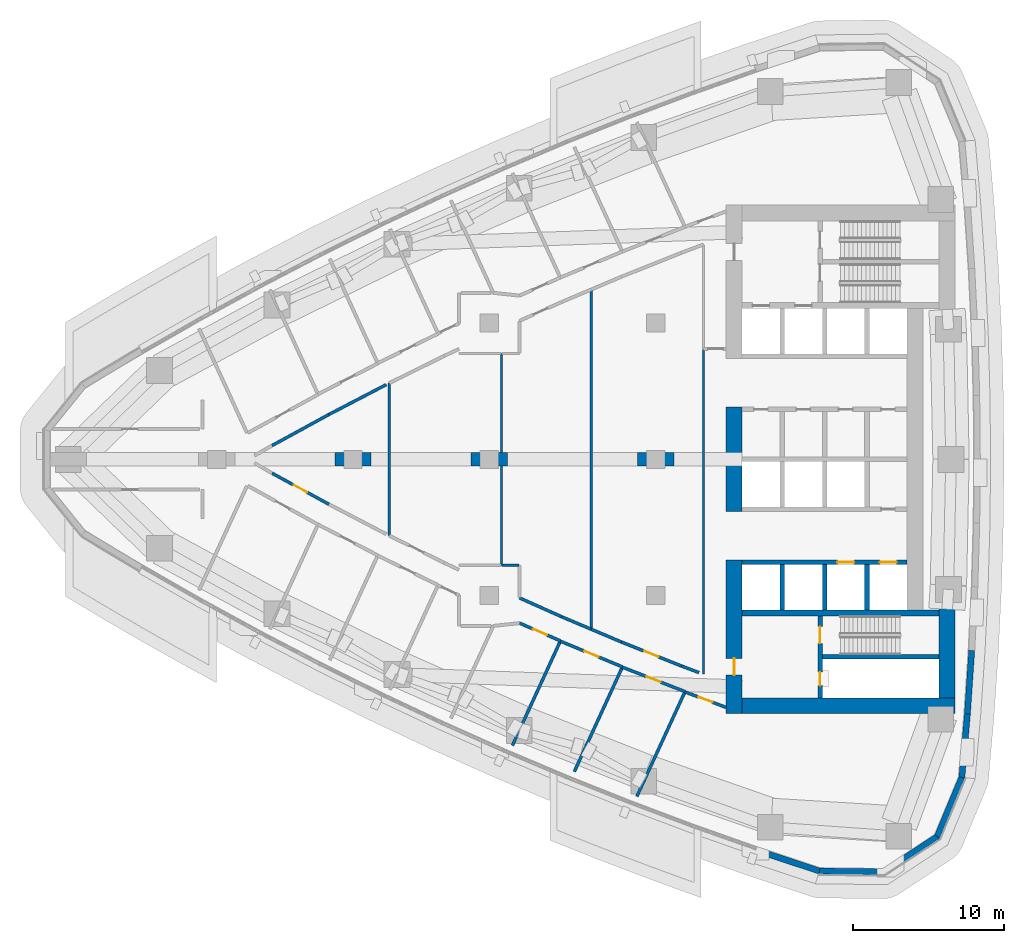
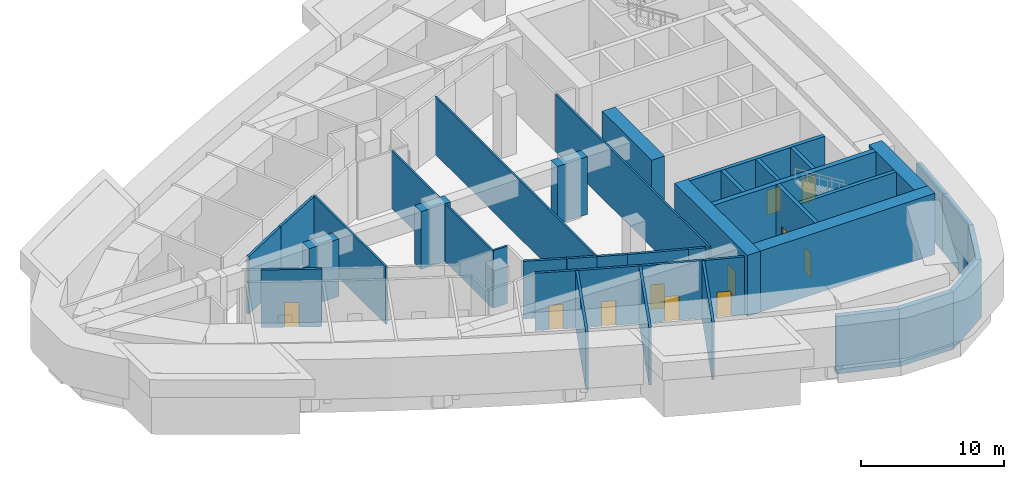
# One storey, part 11 of 19: 41 walls, 11 doors, 11 openings.
"""IFC4 building model written with IfcOpenShell, lengths in metres."""

from ifc_helpers import new_model, si_unit, direction, frame, frame_2d, origin, place, context, subcontext, project, spatial, polyline, rectangle, outline, extrude, material, layer, layer_set, type_object, element, fill, save


model = new_model("IFC4")

# Units and contexts
model_context = context("Model", 3, precision=1e-05, world=origin(), true_north=direction((0.0, 1.0)))
body_context = subcontext(model_context, "Body", "Model", "MODEL_VIEW")
ifc_project = project(units=[si_unit("LENGTHUNIT", "METRE"), si_unit("AREAUNIT", "SQUARE_METRE"), si_unit("VOLUMEUNIT", "CUBIC_METRE"), si_unit("PLANEANGLEUNIT", "RADIAN"), si_unit("MASSUNIT", "GRAM", prefix="KILO")], contexts=[model_context])

# Site, building, storey
site_placement = place(None, origin())
site = spatial("IfcSite", under=ifc_project, at=site_placement, CompositionType="ELEMENT")
building_placement = place(site_placement, origin())
building = spatial("IfcBuilding", under=site, at=building_placement, Name="Ostrand Prow Hotel Tower", CompositionType="ELEMENT")
storey_placement = place(building_placement, frame((0.0, 0.0, 120.39990234375)))
storey = spatial("IfcBuildingStorey", under=building, at=storey_placement, Name="L29", CompositionType="ELEMENT", Elevation=120.39990234375)

# Wall
ifc_material_1 = material(Name="Concrete C80/95", Category="concrete")
ifc_layer_1 = layer(ifc_material_1, 1.050048828125)
ifc_layer_set_1 = layer_set([ifc_layer_1], Name="Concrete C80/95")
wall_type_1 = type_object("IfcWallType", Name="Core wall 1050 C80/95", PredefinedType="SHEAR", material=ifc_layer_set_1)
wall_1_placement = place(storey_placement, frame((50.175048828125, -3.449951171875, 0.0), z_axis=(0.0, 0.0, 1.0), x_axis=(0.0, 1.0, 0.0)))
element("IfcWall", 1, at=wall_1_placement, inside=storey, type_object=wall_type_1, Name="Core wall CW-W-C", PredefinedType="SHEAR", context=body_context, shape_type="SweptSolid", body=[
    extrude(rectangle(XDim=6.89990234375, YDim=1.050048828125, at=frame_2d((3.449951171875, 0.0))), origin(), (0.0, 0.0, 1.0), 5.2001953125),
])

# Wall, opening, door
wall_2_placement = place(storey_placement, frame((50.175048828125, -16.800048828125, 0.0), z_axis=(0.0, 0.0, 1.0), x_axis=(0.0, 1.0, 0.0)))
wall_2 = element("IfcWall", 2, at=wall_2_placement, inside=storey, type_object=wall_type_1, Name="Core wall CW-W-S", PredefinedType="SHEAR", context=body_context, shape_type="SweptSolid", body=[
    extrude(rectangle(XDim=10.150146484375, YDim=1.050048828125, at=frame_2d((5.0751953125, 0.0))), origin(), (0.0, 0.0, 1.0), 5.2001953125),
])
opening_1_placement = place(wall_2_placement, frame((2.550048828125, 0.0, 0.0)))
opening_1 = element("IfcOpeningElement", 3, at=opening_1_placement, cuts=wall_2, Name="Opening FD1", PredefinedType="OPENING", context=body_context, shape_type="SweptSolid", body=[
    extrude(rectangle(XDim=1.10009765625, YDim=2.10009765625, at=frame_2d((0.550048828125, 1.050048828125))), frame((0.0, 0.534912109375, 0.0), z_axis=(0.0, -1.0, 0.0), x_axis=(1.0, 0.0, 0.0)), (0.0, 0.0, 1.0), 1.070068359375),
])
ifc_material_2 = material(Name="Steel fire door", Category="steel")
door_type_1 = type_object("IfcDoorType", Name="Fire door 1100 EI120", OperationType="SINGLE_SWING_RIGHT", PredefinedType="DOOR", material=ifc_material_2)
door_1_placement = place(opening_1_placement, origin())
door_1 = element("IfcDoor", 4, at=door_1_placement, inside=storey, type_object=door_type_1, Name="FIRE DOOR", OperationType="SINGLE_SWING_RIGHT", OverallHeight=2.10009765625, OverallWidth=1.10009765625, PredefinedType="DOOR", context=body_context, shape_type="SweptSolid", body=[
    extrude(rectangle(XDim=1.10009765625, YDim=2.10009765625, at=frame_2d((0.550048828125, 1.050048828125))), frame((0.0, 0.02490234375, 0.0), z_axis=(0.0, -1.0, 0.0), x_axis=(1.0, 0.0, 0.0)), (0.0, 0.0, 1.0), 0.050048828125),
])
fill(opening_1, door_1)

# Walls
wall_3_placement = place(storey_placement, frame((50.699951171875, -16.27490234375, 0.0), z_axis=(0.0, 0.0, 1.0), x_axis=(1.0, 0.0, 0.0)))
element("IfcWall", 5, at=wall_3_placement, inside=storey, type_object=wall_type_1, Name="Core wall CW-S", PredefinedType="SHEAR", context=body_context, shape_type="SweptSolid", body=[
    extrude(rectangle(XDim=14.070068359375, YDim=1.050048828125, at=frame_2d((7.03515625, 0.0))), origin(), (0.0, 0.0, 1.0), 5.2001953125),
])
wall_4_placement = place(storey_placement, frame((64.2451171875, -15.75, 0.0), z_axis=(0.0, 0.0, 1.0), x_axis=(0.0, 1.0, 0.0)))
element("IfcWall", 6, at=wall_4_placement, inside=storey, type_object=wall_type_1, Name="Core wall CW-E-S", PredefinedType="SHEAR", context=body_context, shape_type="SweptSolid", body=[
    extrude(rectangle(XDim=6.361328125, YDim=1.050048828125, at=frame_2d((3.1806640625, 0.0))), origin(), (0.0, 0.0, 1.0), 5.2001953125),
])

# Wall, openings, doors
ifc_material_3 = material(Name="Concrete C80/95", Category="concrete")
ifc_layer_2 = layer(ifc_material_3, 0.300048828125)
ifc_layer_set_2 = layer_set([ifc_layer_2], Name="Concrete C80/95")
wall_type_2 = type_object("IfcWallType", Name="Core wall 300 C80/95", PredefinedType="SHEAR", material=ifc_layer_set_2)
wall_5_placement = place(storey_placement, frame((50.699951171875, -6.800048828125, 0.0), z_axis=(0.0, 0.0, 1.0), x_axis=(1.0, 0.0, 0.0)))
wall_5 = element("IfcWall", 7, at=wall_5_placement, inside=storey, type_object=wall_type_2, Name="Core wall PW-L2-S", PredefinedType="SHEAR", context=body_context, shape_type="SweptSolid", body=[
    extrude(rectangle(XDim=10.900146484375, YDim=0.300048828125, at=frame_2d((5.4501953125, 0.0))), origin(), (0.0, 0.0, 1.0), 5.2001953125),
])
opening_2_placement = place(wall_5_placement, frame((6.300048828125, 0.0, 0.0)))
opening_2 = element("IfcOpeningElement", 8, at=opening_2_placement, cuts=wall_5, Name="Opening LD", PredefinedType="OPENING", context=body_context, shape_type="SweptSolid", body=[
    extrude(rectangle(XDim=1.10009765625, YDim=2.10009765625, at=frame_2d((0.550048828125, 1.050048828125))), frame((0.0, 0.159912109375, 0.0), z_axis=(0.0, -1.0, 0.0), x_axis=(1.0, 0.0, 0.0)), (0.0, 0.0, 1.0), 0.320068359375),
])
opening_3_placement = place(wall_5_placement, frame((9.10009765625, 0.0, 0.0)))
opening_3 = element("IfcOpeningElement", 9, at=opening_3_placement, cuts=wall_5, Name="Opening LD", PredefinedType="OPENING", context=body_context, shape_type="SweptSolid", body=[
    extrude(rectangle(XDim=1.10009765625, YDim=2.10009765625, at=frame_2d((0.550048828125, 1.050048828125))), frame((0.0, 0.159912109375, 0.0), z_axis=(0.0, -1.0, 0.0), x_axis=(1.0, 0.0, 0.0)), (0.0, 0.0, 1.0), 0.320068359375),
])
ifc_material_4 = material(Name="Stainless steel door", Category="steel")
door_type_2 = type_object("IfcDoorType", Name="Lift landing door 1100", OperationType="DOUBLE_DOOR_SLIDING", PredefinedType="DOOR", material=ifc_material_4)
door_2_placement = place(opening_2_placement, origin())
door_2 = element("IfcDoor", 10, at=door_2_placement, inside=storey, type_object=door_type_2, Name="LIFT LANDING DOOR", OperationType="DOUBLE_DOOR_SLIDING", OverallHeight=2.10009765625, OverallWidth=1.10009765625, PredefinedType="DOOR", context=body_context, shape_type="SweptSolid", body=[
    extrude(rectangle(XDim=1.10009765625, YDim=2.10009765625, at=frame_2d((0.550048828125, 1.050048828125))), frame((0.0, 0.02490234375, 0.0), z_axis=(0.0, -1.0, 0.0), x_axis=(1.0, 0.0, 0.0)), (0.0, 0.0, 1.0), 0.050048828125),
])
fill(opening_2, door_2)
door_3_placement = place(opening_3_placement, origin())
door_3 = element("IfcDoor", 11, at=door_3_placement, inside=storey, type_object=door_type_2, Name="LIFT LANDING DOOR", OperationType="DOUBLE_DOOR_SLIDING", OverallHeight=2.10009765625, OverallWidth=1.10009765625, PredefinedType="DOOR", context=body_context, shape_type="SweptSolid", body=[
    extrude(rectangle(XDim=1.10009765625, YDim=2.10009765625, at=frame_2d((0.550048828125, 1.050048828125))), frame((0.0, 0.02490234375, 0.0), z_axis=(0.0, -1.0, 0.0), x_axis=(1.0, 0.0, 0.0)), (0.0, 0.0, 1.0), 0.050048828125),
])
fill(opening_3, door_3)

# Walls
for number, where, z_axis, x_axis, name in (
    (12, (53.35009765625, -9.949951171875, 0.0), (0.0, 0.0, 1.0), (0.0, 1.0, 0.0), "Core wall PW-R1-SA"),
    (13, (56.14990234375, -9.949951171875, 0.0), (0.0, 0.0, 1.0), (0.0, 1.0, 0.0), "Core wall PW-R2-SA"),
    (14, (58.949951171875, -9.949951171875, 0.0), (0.0, 0.0, 1.0), (0.0, 1.0, 0.0), "Core wall PW-R3-SA"),
):
    element("IfcWall", number, at=place(storey_placement, frame(where, z_axis=z_axis, x_axis=x_axis)), inside=storey, type_object=wall_type_2, Name=name, PredefinedType="SHEAR", context=body_context, shape_type="SweptSolid", body=[
        extrude(rectangle(XDim=3.0, YDim=0.300048828125, at=frame_2d((1.5, 0.0))), origin(), (0.0, 0.0, 1.0), 5.2001953125),
    ])

# Wall, openings, doors
wall_6_placement = place(storey_placement, frame((55.85009765625, -15.75, 0.0), z_axis=(0.0, 0.0, 1.0), x_axis=(0.0, 1.0, 0.0)))
wall_6 = element("IfcWall", 15, at=wall_6_placement, inside=storey, type_object=wall_type_2, Name="Core wall PW-VS", PredefinedType="SHEAR", context=body_context, shape_type="SweptSolid", body=[
    extrude(rectangle(XDim=5.39990234375, YDim=0.300048828125, at=frame_2d((2.699951171875, 0.0))), origin(), (0.0, 0.0, 1.0), 5.2001953125),
])
opening_4_placement = place(wall_6_placement, frame((3.60009765625, 0.0, 0.0)))
opening_4 = element("IfcOpeningElement", 16, at=opening_4_placement, cuts=wall_6, Name="Opening FD1", PredefinedType="OPENING", context=body_context, shape_type="SweptSolid", body=[
    extrude(rectangle(XDim=1.10009765625, YDim=2.10009765625, at=frame_2d((0.550048828125, 1.050048828125))), frame((0.0, 0.159912109375, 0.0), z_axis=(0.0, -1.0, 0.0), x_axis=(1.0, 0.0, 0.0)), (0.0, 0.0, 1.0), 0.320068359375),
])
opening_5_placement = place(wall_6_placement, frame((0.800048828125, 0.0, 0.0)))
opening_5 = element("IfcOpeningElement", 17, at=opening_5_placement, cuts=wall_6, Name="Opening FD2", PredefinedType="OPENING", context=body_context, shape_type="SweptSolid", body=[
    extrude(rectangle(XDim=0.89990234375, YDim=2.10009765625, at=frame_2d((0.449951171875, 1.050048828125))), frame((0.0, 0.159912109375, 0.0), z_axis=(0.0, -1.0, 0.0), x_axis=(1.0, 0.0, 0.0)), (0.0, 0.0, 1.0), 0.320068359375),
])
door_4_placement = place(opening_4_placement, origin())
door_4 = element("IfcDoor", 18, at=door_4_placement, inside=storey, type_object=door_type_1, Name="FIRE DOOR", OperationType="SINGLE_SWING_RIGHT", OverallHeight=2.10009765625, OverallWidth=1.10009765625, PredefinedType="DOOR", context=body_context, shape_type="SweptSolid", body=[
    extrude(rectangle(XDim=1.10009765625, YDim=2.10009765625, at=frame_2d((0.550048828125, 1.050048828125))), frame((0.0, 0.02490234375, 0.0), z_axis=(0.0, -1.0, 0.0), x_axis=(1.0, 0.0, 0.0)), (0.0, 0.0, 1.0), 0.050048828125),
])
fill(opening_4, door_4)
ifc_material_5 = material(Name="Steel fire door", Category="steel")
door_type_3 = type_object("IfcDoorType", Name="Fire door 900 EI120", OperationType="SINGLE_SWING_LEFT", PredefinedType="DOOR", material=ifc_material_5)
door_5_placement = place(opening_5_placement, origin())
door_5 = element("IfcDoor", 19, at=door_5_placement, inside=storey, type_object=door_type_3, Name="FIRE DOOR", OperationType="SINGLE_SWING_LEFT", OverallHeight=2.10009765625, OverallWidth=0.89990234375, PredefinedType="DOOR", context=body_context, shape_type="SweptSolid", body=[
    extrude(rectangle(XDim=0.89990234375, YDim=2.10009765625, at=frame_2d((0.449951171875, 1.050048828125))), frame((0.0, 0.02490234375, 0.0), z_axis=(0.0, -1.0, 0.0), x_axis=(1.0, 0.0, 0.0)), (0.0, 0.0, 1.0), 0.050048828125),
])
fill(opening_5, door_5)

# Walls
wall_7_placement = place(storey_placement, frame((56.0, -13.050048828125, 0.0), z_axis=(0.0, 0.0, 1.0), x_axis=(1.0, 0.0, 0.0)))
element("IfcWall", 20, at=wall_7_placement, inside=storey, type_object=wall_type_2, Name="Core wall PW-ST2R", PredefinedType="SHEAR", context=body_context, shape_type="SweptSolid", body=[
    extrude(rectangle(XDim=7.719970703125, YDim=0.300048828125, at=frame_2d((3.85986328125, 0.0))), origin(), (0.0, 0.0, 1.0), 5.2001953125),
])
ifc_material_6 = material(Name="Concrete C80/95", Category="concrete")
ifc_layer_3 = layer(ifc_material_6, 0.39990234375)
ifc_layer_set_3 = layer_set([ifc_layer_3], Name="Concrete C80/95")
wall_type_3 = type_object("IfcWallType", Name="Core wall 400 C80/95", PredefinedType="SHEAR", material=ifc_layer_set_3)
wall_8_placement = place(storey_placement, frame((50.699951171875, -10.14990234375, 0.0), z_axis=(0.0, 0.0, 1.0), x_axis=(1.0, 0.0, 0.0)))
element("IfcWall", 21, at=wall_8_placement, inside=storey, type_object=wall_type_3, Name="Core wall PW-BS", PredefinedType="SHEAR", context=body_context, shape_type="SweptSolid", body=[
    extrude(rectangle(XDim=13.02001953125, YDim=0.39990234375, at=frame_2d((6.510009765625, 0.0))), origin(), (0.0, 0.0, 1.0), 5.2001953125),
])
ifc_material_7 = material(Name="Concrete C80/95", Category="concrete")
ifc_layer_4 = layer(ifc_material_7, 0.89990234375)
ifc_layer_set_4 = layer_set([ifc_layer_4], Name="Concrete C80/95")
wall_type_4 = type_object("IfcWallType", Name="Outrigger wall 900 C80/95", PredefinedType="SHEAR", material=ifc_layer_set_4)
for number, where, z_axis, x_axis, name in (
    (22, (23.800048828125, 0.0, 0.0), (0.0, 0.0, 1.0), (1.0, 0.0, 0.0), "Outrigger wall A3"),
    (23, (32.800048828125, 0.0, 0.0), (0.0, 0.0, 1.0), (1.0, 0.0, 0.0), "Outrigger wall A4"),
    (24, (43.800048828125, 0.0, 0.0), (0.0, 0.0, 1.0), (1.0, 0.0, 0.0), "Outrigger wall A5"),
):
    element("IfcWall", number, at=place(storey_placement, frame(where, z_axis=z_axis, x_axis=x_axis)), inside=storey, type_object=wall_type_4, Name=name, PredefinedType="SHEAR", context=body_context, shape_type="SweptSolid", body=[
        extrude(rectangle(XDim=2.39990234375, YDim=0.89990234375, at=frame_2d((1.199951171875, 0.0))), origin(), (0.0, 0.0, 1.0), 4.900146484375),
    ])
ifc_material_8 = material(Name="Plasterboard partition")
ifc_layer_5 = layer(ifc_material_8, 0.14990234375)
ifc_layer_set_5 = layer_set([ifc_layer_5], Name="Plasterboard partition")
wall_type_5 = type_object("IfcWallType", Name="Partition 150 room partition", PredefinedType="PARTITIONING", material=ifc_layer_set_5)
wall_9_placement = place(storey_placement, frame((27.39501953125, -5.0341796875, 0.0), z_axis=(0.0, 0.0, 1.0), x_axis=(0.0, 1.0, 0.0)))
element("IfcWall", 25, at=wall_9_placement, inside=storey, type_object=wall_type_5, Name="ROOM PARTITION", PredefinedType="PARTITIONING", context=body_context, shape_type="SweptSolid", body=[
    extrude(rectangle(XDim=10.068359375, YDim=0.14990234375, at=frame_2d((5.0341796875, 0.0))), origin(), (0.0, 0.0, 1.0), 4.900146484375),
])
for number, where, z_axis, x_axis, name in (
    (26, (34.8076171875, -7.0, 0.0), (0.0, 0.0, 1.0), (0.0, 1.0, 0.0), "ROOM PARTITION"),
    (27, (34.8076171875, 0.449951171875, 0.0), (0.0, 0.0, 1.0), (0.0, 1.0, 0.0), "ROOM PARTITION"),
):
    element("IfcWall", number, at=place(storey_placement, frame(where, z_axis=z_axis, x_axis=x_axis)), inside=storey, type_object=wall_type_5, Name=name, PredefinedType="PARTITIONING", context=body_context, shape_type="SweptSolid", body=[
        extrude(rectangle(XDim=6.550048828125, YDim=0.14990234375, at=frame_2d((3.27490234375, 0.0))), origin(), (0.0, 0.0, 1.0), 4.900146484375),
    ])
wall_10_placement = place(storey_placement, frame((40.737548828125, -11.2197265625, 0.0), z_axis=(0.0, 0.0, 1.0), x_axis=(0.0, 1.0, 0.0)))
element("IfcWall", 28, at=wall_10_placement, inside=storey, type_object=wall_type_5, Name="ROOM PARTITION", PredefinedType="PARTITIONING", context=body_context, shape_type="SweptSolid", body=[
    extrude(rectangle(XDim=22.439453125, YDim=0.14990234375, at=frame_2d((11.2197265625, 0.0))), origin(), (0.0, 0.0, 1.0), 4.900146484375),
])
wall_11_placement = place(storey_placement, frame((35.96435546875, -6.99755859375, 0.0), z_axis=(0.0, 0.0, 1.0), x_axis=(-0.999997611164, 0.002185787128, 0.0)))
element("IfcWall", 29, at=wall_11_placement, inside=storey, type_object=wall_type_5, Name="ROOM PARTITION", PredefinedType="PARTITIONING", context=body_context, shape_type="SweptSolid", body=[
    extrude(rectangle(XDim=1.116943359375, YDim=0.14990234375, at=frame_2d((0.55859375, 0.0))), origin(), (0.0, 0.0, 1.0), 4.900146484375),
])
wall_12_placement = place(storey_placement, frame((48.1494140625, 7.260009765625, 0.0), z_axis=(0.0, 0.0, 1.0), x_axis=(1.1382521e-05, -0.999999999935, 0.0)))
element("IfcWall", 30, at=wall_12_placement, inside=storey, type_object=wall_type_5, Name="ROOM PARTITION", PredefinedType="PARTITIONING", context=body_context, shape_type="SweptSolid", body=[
    extrude(rectangle(XDim=21.44873046875, YDim=0.14990234375, at=frame_2d((10.724365234375, 0.0))), origin(), (0.0, 0.0, 1.0), 4.900146484375),
])

# Wall, opening, door
ifc_material_9 = material(Name="Plasterboard partition")
ifc_layer_6 = layer(ifc_material_9, 0.199951171875)
ifc_layer_set_6 = layer_set([ifc_layer_6], Name="Plasterboard partition")
wall_type_6 = type_object("IfcWallType", Name="Partition 200 corridor wall", PredefinedType="PARTITIONING", material=ifc_layer_set_6)
wall_13_placement = place(storey_placement, frame((36.0, -10.814697265625, 0.0), z_axis=(0.0, 0.0, 1.0), x_axis=(0.917314766234, -0.398162805457, 0.0)))
wall_13 = element("IfcWall", 31, at=wall_13_placement, inside=storey, type_object=wall_type_6, Name="CORRIDOR WALL", PredefinedType="PARTITIONING", context=body_context, shape_type="SweptSolid", body=[
    extrude(rectangle(XDim=2.947998046875, YDim=0.199951171875, at=frame_2d((1.47412109375, 0.0))), origin(), (0.0, 0.0, 1.0), 4.900146484375),
])
opening_6_placement = place(wall_13_placement, frame((0.97412109375, 0.0, 0.0)))
opening_6 = element("IfcOpeningElement", 32, at=opening_6_placement, cuts=wall_13, Name="Opening D1", PredefinedType="OPENING", context=body_context, shape_type="SweptSolid", body=[
    extrude(rectangle(XDim=1.0, YDim=2.10009765625, at=frame_2d((0.5, 1.050048828125))), frame((0.0, 0.10986328125, 0.0), z_axis=(0.0, -1.0, 0.0), x_axis=(1.0, 0.0, 0.0)), (0.0, 0.0, 1.0), 0.219970703125),
])
ifc_material_10 = material(Name="Timber door leaf", Category="wood")
door_type_4 = type_object("IfcDoorType", Name="Guest room door 1000", OperationType="SINGLE_SWING_LEFT", PredefinedType="DOOR", material=ifc_material_10)
door_6_placement = place(opening_6_placement, origin())
door_6 = element("IfcDoor", 33, at=door_6_placement, inside=storey, type_object=door_type_4, Name="DOOR", OperationType="SINGLE_SWING_LEFT", OverallHeight=2.10009765625, OverallWidth=1.0, PredefinedType="DOOR", context=body_context, shape_type="SweptSolid", body=[
    extrude(rectangle(XDim=1.0, YDim=2.10009765625, at=frame_2d((0.5, 1.050048828125))), frame((0.0, 0.02490234375, 0.0), z_axis=(0.0, -1.0, 0.0), x_axis=(1.0, 0.0, 0.0)), (0.0, 0.0, 1.0), 0.050048828125),
])
fill(opening_6, door_6)

wall_14_placement = place(storey_placement, frame((38.696044921875, -12.0068359375, 0.0), z_axis=(0.0, 0.0, 1.0), x_axis=(0.923970612896, -0.382463470811, 0.0)))
wall_14 = element("IfcWall", 34, at=wall_14_placement, inside=storey, type_object=wall_type_6, Name="CORRIDOR WALL", PredefinedType="PARTITIONING", context=body_context, shape_type="SweptSolid", body=[
    extrude(rectangle(XDim=4.44091796875, YDim=0.199951171875, at=frame_2d((2.220458984375, 0.0))), origin(), (0.0, 0.0, 1.0), 4.900146484375),
])
opening_7_placement = place(wall_14_placement, frame((1.720458984375, 0.0, 0.0)))
opening_7 = element("IfcOpeningElement", 35, at=opening_7_placement, cuts=wall_14, Name="Opening D1R", PredefinedType="OPENING", context=body_context, shape_type="SweptSolid", body=[
    extrude(rectangle(XDim=1.0, YDim=2.10009765625, at=frame_2d((0.5, 1.050048828125))), frame((0.0, 0.10986328125, 0.0), z_axis=(0.0, -1.0, 0.0), x_axis=(1.0, 0.0, 0.0)), (0.0, 0.0, 1.0), 0.219970703125),
])
ifc_material_11 = material(Name="Timber door leaf", Category="wood")
door_type_5 = type_object("IfcDoorType", Name="Guest room door 1000 right", OperationType="SINGLE_SWING_RIGHT", PredefinedType="DOOR", material=ifc_material_11)
door_7_placement = place(opening_7_placement, origin())
door_7 = element("IfcDoor", 36, at=door_7_placement, inside=storey, type_object=door_type_5, Name="DOOR", OperationType="SINGLE_SWING_RIGHT", OverallHeight=2.10009765625, OverallWidth=1.0, PredefinedType="DOOR", context=body_context, shape_type="SweptSolid", body=[
    extrude(rectangle(XDim=1.0, YDim=2.10009765625, at=frame_2d((0.5, 1.050048828125))), frame((0.0, 0.02490234375, 0.0), z_axis=(0.0, -1.0, 0.0), x_axis=(1.0, 0.0, 0.0)), (0.0, 0.0, 1.0), 0.050048828125),
])
fill(opening_7, door_7)

wall_15_placement = place(storey_placement, frame((42.791015625, -13.7236328125, 0.0), z_axis=(0.0, 0.0, 1.0), x_axis=(0.931672401616, -0.363299512891, 0.0)))
wall_15 = element("IfcWall", 37, at=wall_15_placement, inside=storey, type_object=wall_type_6, Name="CORRIDOR WALL", PredefinedType="PARTITIONING", context=body_context, shape_type="SweptSolid", body=[
    extrude(rectangle(XDim=4.4453125, YDim=0.199951171875, at=frame_2d((2.22265625, 0.0))), origin(), (0.0, 0.0, 1.0), 4.900146484375),
])
opening_8_placement = place(wall_15_placement, frame((1.72265625, 0.0, 0.0)))
opening_8 = element("IfcOpeningElement", 38, at=opening_8_placement, cuts=wall_15, Name="Opening D1", PredefinedType="OPENING", context=body_context, shape_type="SweptSolid", body=[
    extrude(rectangle(XDim=1.0, YDim=2.10009765625, at=frame_2d((0.5, 1.050048828125))), frame((0.0, 0.10986328125, 0.0), z_axis=(0.0, -1.0, 0.0), x_axis=(1.0, 0.0, 0.0)), (0.0, 0.0, 1.0), 0.219970703125),
])
door_8_placement = place(opening_8_placement, origin())
door_8 = element("IfcDoor", 39, at=door_8_placement, inside=storey, type_object=door_type_4, Name="DOOR", OperationType="SINGLE_SWING_LEFT", OverallHeight=2.10009765625, OverallWidth=1.0, PredefinedType="DOOR", context=body_context, shape_type="SweptSolid", body=[
    extrude(rectangle(XDim=1.0, YDim=2.10009765625, at=frame_2d((0.5, 1.050048828125))), frame((0.0, 0.02490234375, 0.0), z_axis=(0.0, -1.0, 0.0), x_axis=(1.0, 0.0, 0.0)), (0.0, 0.0, 1.0), 0.050048828125),
])
fill(opening_8, door_8)

wall_16_placement = place(storey_placement, frame((23.40673828125, -2.9619140625, 0.0), z_axis=(0.0, 0.0, 1.0), x_axis=(-0.877465075585, 0.479640533242, 0.0)))
wall_16 = element("IfcWall", 40, at=wall_16_placement, inside=storey, type_object=wall_type_6, Name="CORRIDOR WALL", PredefinedType="PARTITIONING", context=body_context, shape_type="SweptSolid", body=[
    extrude(rectangle(XDim=4.273193359375, YDim=0.199951171875, at=frame_2d((2.13671875, 0.0))), origin(), (0.0, 0.0, 1.0), 4.900146484375),
])
opening_9_placement = place(wall_16_placement, frame((1.636474609375, 0.0, 0.0)))
opening_9 = element("IfcOpeningElement", 41, at=opening_9_placement, cuts=wall_16, Name="Opening D1R", PredefinedType="OPENING", context=body_context, shape_type="SweptSolid", body=[
    extrude(rectangle(XDim=1.0, YDim=2.10009765625, at=frame_2d((0.5, 1.050048828125))), frame((0.0, 0.10986328125, 0.0), z_axis=(0.0, -1.0, 0.0), x_axis=(1.0, 0.0, 0.0)), (0.0, 0.0, 1.0), 0.219970703125),
])
door_9_placement = place(opening_9_placement, origin())
door_9 = element("IfcDoor", 42, at=door_9_placement, inside=storey, type_object=door_type_5, Name="DOOR", OperationType="SINGLE_SWING_RIGHT", OverallHeight=2.10009765625, OverallWidth=1.0, PredefinedType="DOOR", context=body_context, shape_type="SweptSolid", body=[
    extrude(rectangle(XDim=1.0, YDim=2.10009765625, at=frame_2d((0.5, 1.050048828125))), frame((0.0, 0.02490234375, 0.0), z_axis=(0.0, -1.0, 0.0), x_axis=(1.0, 0.0, 0.0)), (0.0, 0.0, 1.0), 0.050048828125),
])
fill(opening_9, door_9)

# Walls
wall_17_placement = place(storey_placement, frame((19.6572265625, 0.912353515625, 0.0), z_axis=(0.0, 0.0, 1.0), x_axis=(0.877465075585, 0.479640533242, 0.0)))
element("IfcWall", 43, at=wall_17_placement, inside=storey, type_object=wall_type_6, Name="CORRIDOR WALL", PredefinedType="PARTITIONING", context=body_context, shape_type="SweptSolid", body=[
    extrude(rectangle(XDim=4.273193359375, YDim=0.199951171875, at=frame_2d((2.13671875, 0.0))), origin(), (0.0, 0.0, 1.0), 4.900146484375),
])
wall_18_placement = place(storey_placement, frame((23.40673828125, 2.9619140625, 0.0), z_axis=(0.0, 0.0, 1.0), x_axis=(0.886899452904, 0.461962509775, 0.0)))
element("IfcWall", 44, at=wall_18_placement, inside=storey, type_object=wall_type_6, Name="CORRIDOR WALL", PredefinedType="PARTITIONING", context=body_context, shape_type="SweptSolid", body=[
    extrude(rectangle(XDim=4.272705078125, YDim=0.199951171875, at=frame_2d((2.13623046875, 0.0))), origin(), (0.0, 0.0, 1.0), 4.900146484375),
])
wall_19_placement = place(storey_placement, frame((40.737548828125, -11.2197265625, 0.0), z_axis=(0.0, 0.0, 1.0), x_axis=(-0.921070908478, 0.389394891538, 0.0)))
element("IfcWall", 45, at=wall_19_placement, inside=storey, type_object=wall_type_6, Name="CORRIDOR WALL", PredefinedType="PARTITIONING", context=body_context, shape_type="SweptSolid", body=[
    extrude(rectangle(XDim=2.1123046875, YDim=0.199951171875, at=frame_2d((1.05615234375, 0.0))), origin(), (0.0, 0.0, 1.0), 4.900146484375),
])
wall_20_placement = place(storey_placement, frame((38.7919921875, -10.397216796875, 0.0), z_axis=(0.0, 0.0, 1.0), x_axis=(-0.913029587861, 0.407893333716, 0.0)))
element("IfcWall", 46, at=wall_20_placement, inside=storey, type_object=wall_type_6, Name="CORRIDOR WALL", PredefinedType="PARTITIONING", context=body_context, shape_type="SweptSolid", body=[
    extrude(rectangle(XDim=3.057861328125, YDim=0.199951171875, at=frame_2d((1.52880859375, 0.0))), origin(), (0.0, 0.0, 1.0), 4.900146484375),
])

# Wall, opening, door
wall_21_placement = place(storey_placement, frame((46.69580078125, -13.646728515625, 0.0), z_axis=(0.0, 0.0, 1.0), x_axis=(-0.928638161177, 0.370986745864, 0.0)))
wall_21 = element("IfcWall", 47, at=wall_21_placement, inside=storey, type_object=wall_type_6, Name="CORRIDOR WALL", PredefinedType="PARTITIONING", context=body_context, shape_type="SweptSolid", body=[
    extrude(rectangle(XDim=4.27294921875, YDim=0.199951171875, at=frame_2d((2.136474609375, 0.0))), origin(), (0.0, 0.0, 1.0), 4.900146484375),
])
opening_10_placement = place(wall_21_placement, frame((1.636474609375, 0.0, 0.0)))
opening_10 = element("IfcOpeningElement", 48, at=opening_10_placement, cuts=wall_21, Name="Opening D1", PredefinedType="OPENING", context=body_context, shape_type="SweptSolid", body=[
    extrude(rectangle(XDim=1.0, YDim=2.10009765625, at=frame_2d((0.5, 1.050048828125))), frame((0.0, 0.10986328125, 0.0), z_axis=(0.0, -1.0, 0.0), x_axis=(1.0, 0.0, 0.0)), (0.0, 0.0, 1.0), 0.219970703125),
])
door_10_placement = place(opening_10_placement, origin())
door_10 = element("IfcDoor", 49, at=door_10_placement, inside=storey, type_object=door_type_4, Name="DOOR", OperationType="SINGLE_SWING_LEFT", OverallHeight=2.10009765625, OverallWidth=1.0, PredefinedType="DOOR", context=body_context, shape_type="SweptSolid", body=[
    extrude(rectangle(XDim=1.0, YDim=2.10009765625, at=frame_2d((0.5, 1.050048828125))), frame((0.0, 0.02490234375, 0.0), z_axis=(0.0, -1.0, 0.0), x_axis=(1.0, 0.0, 0.0)), (0.0, 0.0, 1.0), 0.050048828125),
])
fill(opening_10, door_10)

# Walls
wall_22_placement = place(storey_placement, frame((42.727783203125, -12.0615234375, 0.0), z_axis=(0.0, 0.0, 1.0), x_axis=(-0.921004670223, 0.389551533725, 0.0)))
element("IfcWall", 50, at=wall_22_placement, inside=storey, type_object=wall_type_6, Name="CORRIDOR WALL", PredefinedType="PARTITIONING", context=body_context, shape_type="SweptSolid", body=[
    extrude(rectangle(XDim=2.160888671875, YDim=0.199951171875, at=frame_2d((1.08056640625, 0.0))), origin(), (0.0, 0.0, 1.0), 4.900146484375),
])
wall_23_placement = place(storey_placement, frame((47.8544921875, -14.0830078125, 0.0), z_axis=(0.0, 0.0, 1.0), x_axis=(-0.935858326893, 0.352376491816, 0.0)))
element("IfcWall", 51, at=wall_23_placement, inside=storey, type_object=wall_type_6, Name="CORRIDOR WALL", PredefinedType="PARTITIONING", context=body_context, shape_type="SweptSolid", body=[
    extrude(rectangle(XDim=1.238037109375, YDim=0.199951171875, at=frame_2d((0.619140625, 0.0))), origin(), (0.0, 0.0, 1.0), 4.900146484375),
])

# Wall, opening, door
wall_24_placement = place(storey_placement, frame((46.92431640625, -15.356689453125, 0.0), z_axis=(0.0, 0.0, 1.0), x_axis=(0.935873645433, -0.352335805424, 0.0)))
wall_24 = element("IfcWall", 52, at=wall_24_placement, inside=storey, type_object=wall_type_6, Name="CORRIDOR WALL", PredefinedType="PARTITIONING", context=body_context, shape_type="SweptSolid", body=[
    extrude(rectangle(XDim=2.912353515625, YDim=0.199951171875, at=frame_2d((1.4560546875, 0.0))), origin(), (0.0, 0.0, 1.0), 4.900146484375),
])
opening_11_placement = place(wall_24_placement, frame((0.9560546875, 0.0, 0.0)))
opening_11 = element("IfcOpeningElement", 53, at=opening_11_placement, cuts=wall_24, Name="Opening D1", PredefinedType="OPENING", context=body_context, shape_type="SweptSolid", body=[
    extrude(rectangle(XDim=1.0, YDim=2.10009765625, at=frame_2d((0.5, 1.050048828125))), frame((0.0, 0.10986328125, 0.0), z_axis=(0.0, -1.0, 0.0), x_axis=(1.0, 0.0, 0.0)), (0.0, 0.0, 1.0), 0.219970703125),
])
door_11_placement = place(opening_11_placement, origin())
door_11 = element("IfcDoor", 54, at=door_11_placement, inside=storey, type_object=door_type_4, Name="DOOR", OperationType="SINGLE_SWING_LEFT", OverallHeight=2.10009765625, OverallWidth=1.0, PredefinedType="DOOR", context=body_context, shape_type="SweptSolid", body=[
    extrude(rectangle(XDim=1.0, YDim=2.10009765625, at=frame_2d((0.5, 1.050048828125))), frame((0.0, 0.02490234375, 0.0), z_axis=(0.0, -1.0, 0.0), x_axis=(1.0, 0.0, 0.0)), (0.0, 0.0, 1.0), 0.050048828125),
])
fill(opening_11, door_11)

# Walls
ifc_material_12 = material(Name="Plasterboard partition")
ifc_layer_7 = layer(ifc_material_12, 0.199951171875)
ifc_layer_set_7 = layer_set([ifc_layer_7], Name="Plasterboard partition")
wall_type_7 = type_object("IfcWallType", Name="Partition 200 key partition", PredefinedType="PARTITIONING", material=ifc_layer_set_7)
wall_25_placement = place(storey_placement, frame((35.530517578125, -18.89794921875, 0.0), z_axis=(0.0, 0.0, 1.0), x_axis=(0.417416334044, 0.908715359215, 0.0)))
element("IfcWall", 55, at=wall_25_placement, inside=storey, type_object=wall_type_7, Name="KEY PARTITION", PredefinedType="PARTITIONING", context=body_context, shape_type="SweptSolid", body=[
    extrude(rectangle(XDim=7.603515625, YDim=0.199951171875, at=frame_2d((3.8017578125, 0.0))), origin(), (0.0, 0.0, 1.0), 4.900146484375),
])
wall_26_placement = place(storey_placement, frame((39.622802734375, -20.620361328125, 0.0), z_axis=(0.0, 0.0, 1.0), x_axis=(0.417427858403, 0.908710065438, 0.0)))
element("IfcWall", 56, at=wall_26_placement, inside=storey, type_object=wall_type_7, Name="KEY PARTITION", PredefinedType="PARTITIONING", context=body_context, shape_type="SweptSolid", body=[
    extrude(rectangle(XDim=7.609619140625, YDim=0.199951171875, at=frame_2d((3.8046875, 0.0))), origin(), (0.0, 0.0, 1.0), 4.900146484375),
])
wall_27_placement = place(storey_placement, frame((43.752197265625, -22.261962890625, 0.0), z_axis=(0.0, 0.0, 1.0), x_axis=(0.417437957167, 0.908705426371, 0.0)))
element("IfcWall", 57, at=wall_27_placement, inside=storey, type_object=wall_type_7, Name="KEY PARTITION", PredefinedType="PARTITIONING", context=body_context, shape_type="SweptSolid", body=[
    extrude(rectangle(XDim=7.618896484375, YDim=0.199951171875, at=frame_2d((3.8095703125, 0.0))), origin(), (0.0, 0.0, 1.0), 4.900146484375),
])
ifc_material_13 = material(Name="Precast concrete C40/50", Category="concrete")
ifc_layer_8 = layer(ifc_material_13, 0.39990234375)
ifc_layer_set_8 = layer_set([ifc_layer_8], Name="Precast concrete C40/50")
wall_type_8 = type_object("IfcWallType", Name="Stone-faced precast wall 400 mm", PredefinedType="NOTDEFINED", material=ifc_layer_set_8)
wall_28_placement = place(storey_placement, frame((51.56884765625, -25.786865234375, 0.0), z_axis=(0.0, 0.0, 1.0), x_axis=(0.94925004851, -0.314522408429, 0.0)))
element("IfcWall", 58, at=wall_28_placement, inside=storey, type_object=wall_type_8, Name="Stone-faced wall back 1", PredefinedType="NOTDEFINED", context=body_context, shape_type="SweptSolid", body=[
    extrude(outline(polyline([(0.0, -0.199951171875), (4.4990234375, -0.199951171875), (4.43701171875, 0.199951171875), (0.0, 0.199951171875), (0.0, -0.199951171875)])), origin(), (0.0, 0.0, 1.0), 4.900146484375),
])
wall_29_placement = place(storey_placement, frame((55.81005859375, -27.192138671875, 0.0), z_axis=(0.0, 0.0, 1.0), x_axis=(0.999919718849, -0.012671063772, 0.0)))
element("IfcWall", 59, at=wall_29_placement, inside=storey, type_object=wall_type_8, Name="Stone-faced wall back 2", PredefinedType="NOTDEFINED", context=body_context, shape_type="SweptSolid", body=[
    extrude(outline(polyline([(-0.031005859375, -0.199951171875), (4.300048828125, -0.199951171875), (4.177490234375, 0.199951171875), (0.031005859375, 0.199951171875), (-0.031005859375, -0.199951171875)])), origin(), (0.0, 0.0, 1.0), 4.900146484375),
])
wall_30_placement = place(storey_placement, frame((60.048583984375, -27.245849609375, 0.0), z_axis=(0.0, 0.0, 1.0), x_axis=(0.835340523653, 0.549732852887, 0.0)))
element("IfcWall", 60, at=wall_30_placement, inside=storey, type_object=wall_type_8, Name="Stone-faced wall back 3", PredefinedType="NOTDEFINED", context=body_context, shape_type="SweptSolid", body=[
    extrude(outline(polyline([(-0.061279296875, -0.199951171875), (4.30029296875, -0.199951171875), (4.177734375, 0.199951171875), (0.061279296875, 0.199951171875), (-0.061279296875, -0.199951171875)])), origin(), (0.0, 0.0, 1.0), 4.900146484375),
])
wall_31_placement = place(storey_placement, frame((63.589599609375, -24.91552734375, 0.0), z_axis=(0.0, 0.0, 1.0), x_axis=(0.383997751971, 0.923334027577, 0.0)))
element("IfcWall", 61, at=wall_31_placement, inside=storey, type_object=wall_type_8, Name="Stone-faced wall back 4", PredefinedType="NOTDEFINED", context=body_context, shape_type="SweptSolid", body=[
    extrude(outline(polyline([(-0.061279296875, -0.199951171875), (4.269775390625, -0.199951171875), (4.207763671875, 0.199951171875), (0.061279296875, 0.199951171875), (-0.061279296875, -0.199951171875)])), origin(), (0.0, 0.0, 1.0), 4.900146484375),
])
wall_32_placement = place(storey_placement, frame((65.21728515625, -21.001708984375, 0.0), z_axis=(0.0, 0.0, 1.0), x_axis=(0.086992730434, 0.996208946382, 0.0)))
element("IfcWall", 62, at=wall_32_placement, inside=storey, type_object=wall_type_8, Name="Stone-faced wall back 5", PredefinedType="NOTDEFINED", context=body_context, shape_type="SweptSolid", body=[
    extrude(outline(polyline([(-0.031005859375, -0.199951171875), (4.208740234375, -0.199951171875), (4.204833984375, 0.199951171875), (0.031005859375, 0.199951171875), (-0.031005859375, -0.199951171875)])), origin(), (0.0, 0.0, 1.0), 4.900146484375),
])
wall_33_placement = place(storey_placement, frame((65.583251953125, -16.810791015625, 0.0), z_axis=(0.0, 0.0, 1.0), x_axis=(0.067724559895, 0.997704056315, 0.0)))
element("IfcWall", 63, at=wall_33_placement, inside=storey, type_object=wall_type_8, Name="Stone-faced wall back 6", PredefinedType="NOTDEFINED", context=body_context, shape_type="SweptSolid", body=[
    extrude(outline(polyline([(-0.001953125, -0.199951171875), (4.208984375, -0.199951171875), (4.205078125, 0.199951171875), (0.001953125, 0.199951171875), (-0.001953125, -0.199951171875)])), origin(), (0.0, 0.0, 1.0), 4.900146484375),
])

save(model, "model.ifc")
